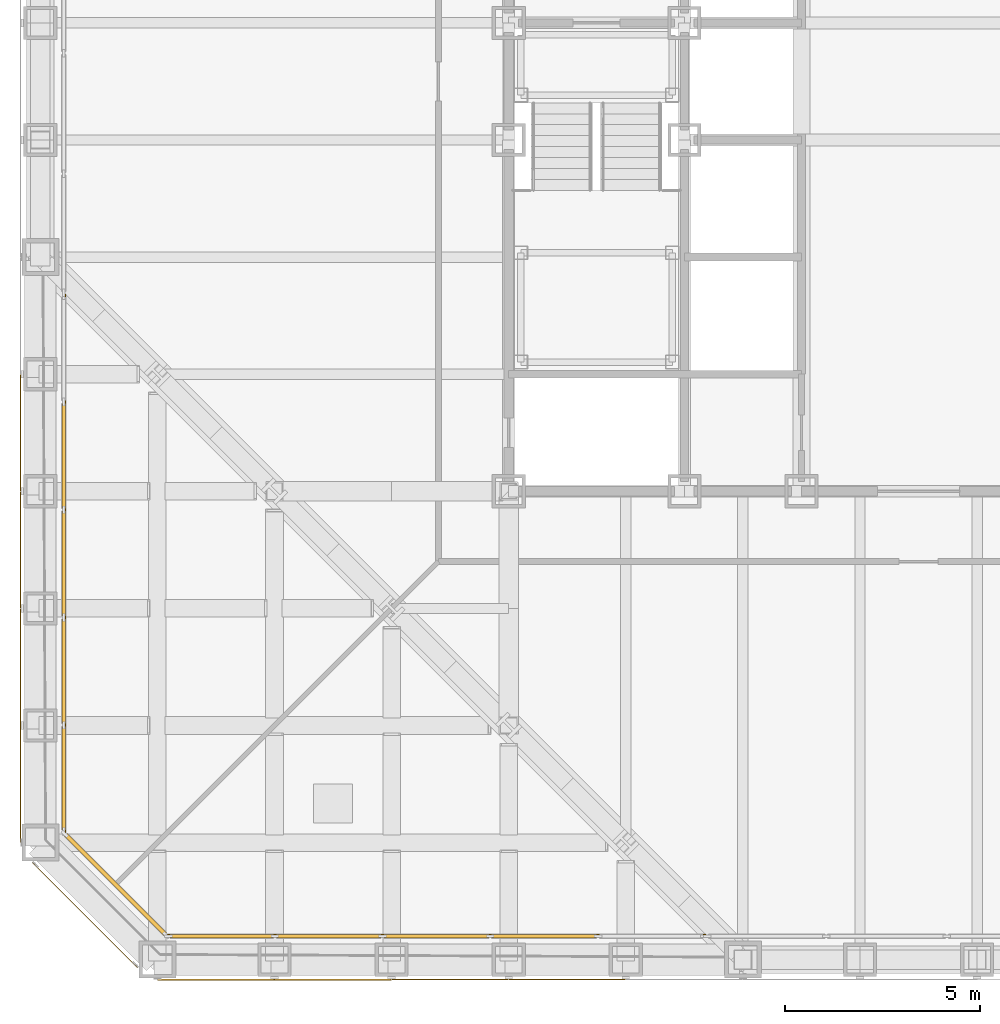
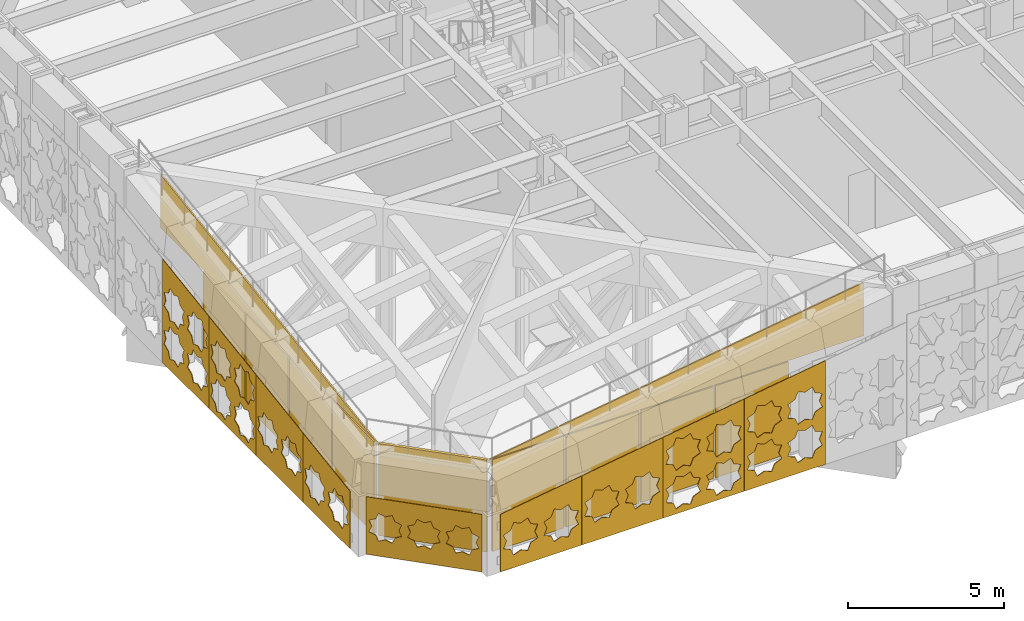
# One storey, part 23 of 31: 11 coverings, 9 shading devices, 3 elements without a shape of their own.
"""IFC4 building model written with IfcOpenShell, lengths in metres."""

from ifc_helpers import new_model, si_unit, direction, frame, origin, origin_2d, place, context, subcontext, project, spatial, polyline, rectangle, outline, extrude, material, layer, layer_set, type_object, element, aggregate, save


model = new_model("IFC4")

# Units and contexts
model_context = context("Model", 3, precision=1e-05, world=origin(), true_north=direction((0.0, 1.0)))
body_context = subcontext(model_context, "Body", "Model", "MODEL_VIEW")
ifc_project = project(units=[si_unit("LENGTHUNIT", "METRE"), si_unit("AREAUNIT", "SQUARE_METRE"), si_unit("VOLUMEUNIT", "CUBIC_METRE"), si_unit("PLANEANGLEUNIT", "RADIAN"), si_unit("MASSUNIT", "GRAM", prefix="KILO")], contexts=[model_context])

# Site, building, storey
site_placement = place(None, origin())
site = spatial("IfcSite", under=ifc_project, at=site_placement, CompositionType="ELEMENT")
building_placement = place(site_placement, origin())
building = spatial("IfcBuilding", under=site, at=building_placement, Name="Chuquiago Exchange Tower", CompositionType="ELEMENT")
storey_placement = place(building_placement, frame((0.0, 0.0, 96.300048828125)))
storey = spatial("IfcBuildingStorey", under=building, at=storey_placement, Name="L20", CompositionType="ELEMENT", Elevation=96.300048828125)

# Curtain wall, shading devices
ifc_material_1 = material(Name="Aluminium curtain wall system", Category="aluminium")
ifc_layer_1 = layer(ifc_material_1, 0.199951171875)
ifc_layer_set_1 = layer_set([ifc_layer_1], Name="CW6 plant floor louvre wall")
curtain_wall_type = type_object("IfcCurtainWallType", Name="CW6 plant floor louvre wall", PredefinedType="NOTDEFINED", material=ifc_layer_set_1)
curtain_wall_1_placement = place(storey_placement, origin())
curtain_wall_1 = element("IfcCurtainWall", 1, at=curtain_wall_1_placement, inside=storey, type_object=curtain_wall_type, Name="CW6 curtain wall L20", PredefinedType="NOTDEFINED")
ifc_material_2 = material(Name="Aluminium louvre", Category="aluminium")
ifc_layer_2 = layer(ifc_material_2, 0.10009765625)
ifc_layer_set_2 = layer_set([ifc_layer_2], Name="CW6-P louvre panel 100")
shading_device_type = type_object("IfcShadingDeviceType", Name="CW6-P louvre panel 100", PredefinedType="USERDEFINED", material=ifc_layer_set_2)
shading_device_1_placement = place(storey_placement, frame((4.64697265625, 0.60009765625, 0.0751953125), z_axis=(0.0, 0.0, 1.0), x_axis=(1.0, 0.0, 0.0)))
shading_device_1 = element("IfcShadingDevice", 2, at=shading_device_1_placement, type_object=shading_device_type, Name="CW6 panel 1.1", ObjectType="LOUVER", PredefinedType="USERDEFINED", context=body_context, shape_type="SweptSolid", body=[
    extrude(rectangle(XDim=2.64697265625, YDim=0.10009765625, at=origin_2d()), origin(), (0.0, 0.0, 1.0), 3.593505859375),
])
shading_device_2_placement = place(storey_placement, frame((7.387939453125, 0.60009765625, 0.0751953125), z_axis=(0.0, 0.0, 1.0), x_axis=(1.0, 0.0, 0.0)))
shading_device_2 = element("IfcShadingDevice", 3, at=shading_device_2_placement, type_object=shading_device_type, Name="CW6 panel 2.1", ObjectType="LOUVER", PredefinedType="USERDEFINED", context=body_context, shape_type="SweptSolid", body=[
    extrude(rectangle(XDim=2.6845703125, YDim=0.10009765625, at=origin_2d()), origin(), (0.0, 0.0, 1.0), 3.593505859375),
])
shading_device_3_placement = place(storey_placement, frame((10.1474609375, 0.60009765625, 0.0751953125), z_axis=(0.0, 0.0, 1.0), x_axis=(1.0, 0.0, 0.0)))
shading_device_3 = element("IfcShadingDevice", 4, at=shading_device_3_placement, type_object=shading_device_type, Name="CW6 panel 3.1", ObjectType="LOUVER", PredefinedType="USERDEFINED", context=body_context, shape_type="SweptSolid", body=[
    extrude(rectangle(XDim=2.6845703125, YDim=0.10009765625, at=origin_2d()), origin(), (0.0, 0.0, 1.0), 3.593505859375),
])
shading_device_4_placement = place(storey_placement, frame((12.906982421875, 0.60009765625, 0.0751953125), z_axis=(0.0, 0.0, 1.0), x_axis=(1.0, 0.0, 0.0)))
shading_device_4 = element("IfcShadingDevice", 5, at=shading_device_4_placement, type_object=shading_device_type, Name="CW6 panel 4.1", ObjectType="LOUVER", PredefinedType="USERDEFINED", context=body_context, shape_type="SweptSolid", body=[
    extrude(rectangle(XDim=2.6845703125, YDim=0.10009765625, at=origin_2d()), origin(), (0.0, 0.0, 1.0), 3.593505859375),
])
aggregate(curtain_wall_1, [shading_device_1, shading_device_2, shading_device_3, shading_device_4])

curtain_wall_2_placement = place(storey_placement, origin())
curtain_wall_2 = element("IfcCurtainWall", 6, at=curtain_wall_2_placement, inside=storey, type_object=curtain_wall_type, Name="CW6 curtain wall L20", PredefinedType="NOTDEFINED")
shading_device_5_placement = place(storey_placement, frame((0.60009765625, 12.9072265625, 0.0751953125), z_axis=(0.0, 0.0, 1.0), x_axis=(0.0, -1.0, 0.0)))
shading_device_5 = element("IfcShadingDevice", 7, at=shading_device_5_placement, type_object=shading_device_type, Name="CW6 panel 2.1", ObjectType="LOUVER", PredefinedType="USERDEFINED", context=body_context, shape_type="SweptSolid", body=[
    extrude(rectangle(XDim=2.6845703125, YDim=0.10009765625, at=origin_2d()), origin(), (0.0, 0.0, 1.0), 3.593505859375),
])
shading_device_6_placement = place(storey_placement, frame((0.60009765625, 10.1474609375, 0.0751953125), z_axis=(0.0, 0.0, 1.0), x_axis=(0.0, -1.0, 0.0)))
shading_device_6 = element("IfcShadingDevice", 8, at=shading_device_6_placement, type_object=shading_device_type, Name="CW6 panel 3.1", ObjectType="LOUVER", PredefinedType="USERDEFINED", context=body_context, shape_type="SweptSolid", body=[
    extrude(rectangle(XDim=2.6845703125, YDim=0.10009765625, at=origin_2d()), origin(), (0.0, 0.0, 1.0), 3.593505859375),
])
shading_device_7_placement = place(storey_placement, frame((0.60009765625, 7.387939453125, 0.0751953125), z_axis=(0.0, 0.0, 1.0), x_axis=(0.0, -1.0, 0.0)))
shading_device_7 = element("IfcShadingDevice", 9, at=shading_device_7_placement, type_object=shading_device_type, Name="CW6 panel 4.1", ObjectType="LOUVER", PredefinedType="USERDEFINED", context=body_context, shape_type="SweptSolid", body=[
    extrude(rectangle(XDim=2.6845703125, YDim=0.10009765625, at=origin_2d()), origin(), (0.0, 0.0, 1.0), 3.593505859375),
])
shading_device_8_placement = place(storey_placement, frame((0.60009765625, 4.647216796875, 0.0751953125), z_axis=(0.0, 0.0, 1.0), x_axis=(0.0, -1.0, 0.0)))
shading_device_8 = element("IfcShadingDevice", 10, at=shading_device_8_placement, type_object=shading_device_type, Name="CW6 panel 5.1", ObjectType="LOUVER", PredefinedType="USERDEFINED", context=body_context, shape_type="SweptSolid", body=[
    extrude(rectangle(XDim=2.64697265625, YDim=0.10009765625, at=origin_2d()), origin(), (0.0, 0.0, 1.0), 3.593505859375),
])
aggregate(curtain_wall_2, [shading_device_5, shading_device_6, shading_device_7, shading_device_8])

# Curtain wall, shading device
curtain_wall_3_placement = place(storey_placement, origin())
curtain_wall_3 = element("IfcCurtainWall", 11, at=curtain_wall_3_placement, inside=storey, type_object=curtain_wall_type, Name="CW6 curtain wall L20", PredefinedType="NOTDEFINED")
shading_device_9_placement = place(storey_placement, frame((1.92431640625, 1.92431640625, 0.0751953125), z_axis=(0.0, 0.0, 1.0), x_axis=(0.707106781187, -0.707106781187, 0.0)))
shading_device_9 = element("IfcShadingDevice", 12, at=shading_device_9_placement, type_object=shading_device_type, Name="CW6 panel 1.1", ObjectType="LOUVER", PredefinedType="USERDEFINED", context=body_context, shape_type="SweptSolid", body=[
    extrude(rectangle(XDim=3.595458984375, YDim=0.10009765625, at=origin_2d()), origin(), (0.0, 0.0, 1.0), 3.593505859375),
])
aggregate(curtain_wall_3, [shading_device_9])

# Coverings
ifc_material_3 = material(Name="Pale metal insulated fascia panel", Category="aluminium")
ifc_layer_3 = layer(ifc_material_3, 0.050048828125)
ifc_layer_set_3 = layer_set([ifc_layer_3], Name="FX1 raked fascia panel 50")
covering_type_1 = type_object("IfcCoveringType", Name="FX1 raked fascia panel 50", PredefinedType="CLADDING", material=ifc_layer_set_3)
covering_1_placement = place(storey_placement, frame((3.24853515625, 0.60009765625, 3.66845703125), z_axis=(0.0, -1.0, 0.0), x_axis=(1.0, 0.0, 0.0)))
element("IfcCovering", 13, at=covering_1_placement, inside=storey, type_object=covering_type_1, Name="Raked fascia L20 S under the SW facet roof", PredefinedType="CLADDING", context=body_context, shape_type="SweptSolid", body=[
    extrude(outline(polyline([(0.0, 0.0), (13.7978515625, 0.0), (13.7978515625, 2.073974609375), (0.0, 0.0)])), origin(), (0.0, 0.0, -1.0), 0.050048828125),
])
covering_2_placement = place(storey_placement, frame((0.60009765625, 17.04638671875, 3.66845703125), z_axis=(-1.0, 0.0, 0.0), x_axis=(0.0, -1.0, 0.0)))
element("IfcCovering", 14, at=covering_2_placement, inside=storey, type_object=covering_type_1, Name="Raked fascia L20 W under the SW facet roof", PredefinedType="CLADDING", context=body_context, shape_type="SweptSolid", body=[
    extrude(outline(polyline([(0.0, 0.0), (13.7978515625, 0.0), (0.0, 2.073974609375), (0.0, 0.0)])), origin(), (0.0, 0.0, -1.0), 0.050048828125),
])
ifc_material_4 = material(Name="Anodised aluminium, pale", Category="aluminium")
ifc_layer_4 = layer(ifc_material_4, 0.02001953125)
ifc_layer_set_4 = layer_set([ifc_layer_4], Name="GC1 girih cladding panel 20")
covering_type_2 = type_object("IfcCoveringType", Name="GC1 girih cladding panel 20", PredefinedType="CLADDING", material=ifc_layer_set_4)
covering_3_placement = place(storey_placement, frame((3.0048828125, -0.5, 0.050048828125), z_axis=(0.0, 0.0, 1.0), x_axis=(1.0, 0.0, 0.0)))
element("IfcCovering", 15, at=covering_3_placement, inside=storey, type_object=covering_type_2, Name="Girih cladding panel L20 S 1", PredefinedType="CLADDING", context=body_context, shape_type="SweptSolid", body=[
    extrude(outline(polyline([(0.0, 0.0), (2.989990234375, 0.0), (2.989990234375, 2.695556640625), (0.0, 2.24609375), (0.0, 0.0)]), holes=[polyline([(1.27392578125, 1.123046875), (1.3828125, 1.38623046875), (1.11962890625, 1.4951171875), (1.0107421875, 1.75830078125), (0.74755859375, 1.6494140625), (0.484375, 1.75830078125), (0.375244140625, 1.4951171875), (0.112060546875, 1.38623046875), (0.22119140625, 1.123046875), (0.112060546875, 0.85986328125), (0.375244140625, 0.7509765625), (0.484375, 0.48779296875), (0.74755859375, 0.5966796875), (1.0107421875, 0.48779296875), (1.11962890625, 0.7509765625), (1.3828125, 0.85986328125), (1.27392578125, 1.123046875)]), polyline([(2.768798828125, 1.123046875), (2.8779296875, 1.38623046875), (2.61474609375, 1.4951171875), (2.505615234375, 1.75830078125), (2.242431640625, 1.6494140625), (1.979248046875, 1.75830078125), (1.870361328125, 1.4951171875), (1.607177734375, 1.38623046875), (1.716064453125, 1.123046875), (1.607177734375, 0.85986328125), (1.870361328125, 0.7509765625), (1.979248046875, 0.48779296875), (2.242431640625, 0.5966796875), (2.505615234375, 0.48779296875), (2.61474609375, 0.7509765625), (2.8779296875, 0.85986328125), (2.768798828125, 1.123046875)])]), frame((0.0, 0.0, 0.0), z_axis=(0.0, -1.0, 0.0), x_axis=(1.0, 0.0, 0.0)), (0.0, 0.0, 1.0), 0.02001953125),
])
covering_4_placement = place(storey_placement, frame((6.0048828125, -0.5, 0.050048828125), z_axis=(0.0, 0.0, 1.0), x_axis=(1.0, 0.0, 0.0)))
element("IfcCovering", 16, at=covering_4_placement, inside=storey, type_object=covering_type_2, Name="Girih cladding panel L20 S 2", PredefinedType="CLADDING", context=body_context, shape_type="SweptSolid", body=[
    extrude(outline(polyline([(0.0, 0.0), (2.989990234375, 0.0), (2.989990234375, 3.146484375), (0.0, 2.697021484375), (0.0, 0.0)]), holes=[polyline([(1.27392578125, 1.348388671875), (1.3828125, 1.61181640625), (1.11962890625, 1.720703125), (1.0107421875, 1.98388671875), (0.74755859375, 1.875), (0.484375, 1.98388671875), (0.375244140625, 1.720703125), (0.112060546875, 1.61181640625), (0.22119140625, 1.348388671875), (0.112060546875, 1.085205078125), (0.375244140625, 0.976318359375), (0.484375, 0.713134765625), (0.74755859375, 0.822021484375), (1.0107421875, 0.713134765625), (1.11962890625, 0.976318359375), (1.3828125, 1.085205078125), (1.27392578125, 1.348388671875)]), polyline([(2.768798828125, 1.348388671875), (2.8779296875, 1.61181640625), (2.61474609375, 1.720703125), (2.505615234375, 1.98388671875), (2.242431640625, 1.875), (1.979248046875, 1.98388671875), (1.870361328125, 1.720703125), (1.607177734375, 1.61181640625), (1.716064453125, 1.348388671875), (1.607177734375, 1.085205078125), (1.870361328125, 0.976318359375), (1.979248046875, 0.713134765625), (2.242431640625, 0.822021484375), (2.505615234375, 0.713134765625), (2.61474609375, 0.976318359375), (2.8779296875, 1.085205078125), (2.768798828125, 1.348388671875)])]), frame((0.0, 0.0, 0.0), z_axis=(0.0, -1.0, 0.0), x_axis=(1.0, 0.0, 0.0)), (0.0, 0.0, 1.0), 0.02001953125),
])
covering_5_placement = place(storey_placement, frame((9.0048828125, -0.5, 0.050048828125), z_axis=(0.0, 0.0, 1.0), x_axis=(1.0, 0.0, 0.0)))
element("IfcCovering", 17, at=covering_5_placement, inside=storey, type_object=covering_type_2, Name="Girih cladding panel L20 S 3", PredefinedType="CLADDING", context=body_context, shape_type="SweptSolid", body=[
    extrude(outline(polyline([(0.0, 0.0), (2.989990234375, 0.0), (2.989990234375, 3.597412109375), (0.0, 3.14794921875), (0.0, 0.0)]), holes=[polyline([(1.27392578125, 0.826416015625), (1.3828125, 1.089599609375), (1.11962890625, 1.198486328125), (1.0107421875, 1.4619140625), (0.74755859375, 1.352783203125), (0.484375, 1.4619140625), (0.375244140625, 1.198486328125), (0.112060546875, 1.089599609375), (0.22119140625, 0.826416015625), (0.112060546875, 0.563232421875), (0.375244140625, 0.454345703125), (0.484375, 0.191162109375), (0.74755859375, 0.300048828125), (1.0107421875, 0.191162109375), (1.11962890625, 0.454345703125), (1.3828125, 0.563232421875), (1.27392578125, 0.826416015625)]), polyline([(2.768798828125, 0.826416015625), (2.8779296875, 1.089599609375), (2.61474609375, 1.198486328125), (2.505615234375, 1.4619140625), (2.242431640625, 1.352783203125), (1.979248046875, 1.4619140625), (1.870361328125, 1.198486328125), (1.607177734375, 1.089599609375), (1.716064453125, 0.826416015625), (1.607177734375, 0.563232421875), (1.870361328125, 0.454345703125), (1.979248046875, 0.191162109375), (2.242431640625, 0.300048828125), (2.505615234375, 0.191162109375), (2.61474609375, 0.454345703125), (2.8779296875, 0.563232421875), (2.768798828125, 0.826416015625)]), polyline([(1.27392578125, 2.3212890625), (1.3828125, 2.584716796875), (1.11962890625, 2.693603515625), (1.0107421875, 2.956787109375), (0.74755859375, 2.847900390625), (0.484375, 2.956787109375), (0.375244140625, 2.693603515625), (0.112060546875, 2.584716796875), (0.22119140625, 2.3212890625), (0.112060546875, 2.058349609375), (0.375244140625, 1.94921875), (0.484375, 1.68603515625), (0.74755859375, 1.795166015625), (1.0107421875, 1.68603515625), (1.11962890625, 1.94921875), (1.3828125, 2.058349609375), (1.27392578125, 2.3212890625)]), polyline([(2.768798828125, 2.3212890625), (2.8779296875, 2.584716796875), (2.61474609375, 2.693603515625), (2.505615234375, 2.956787109375), (2.242431640625, 2.847900390625), (1.979248046875, 2.956787109375), (1.870361328125, 2.693603515625), (1.607177734375, 2.584716796875), (1.716064453125, 2.3212890625), (1.607177734375, 2.058349609375), (1.870361328125, 1.94921875), (1.979248046875, 1.68603515625), (2.242431640625, 1.795166015625), (2.505615234375, 1.68603515625), (2.61474609375, 1.94921875), (2.8779296875, 2.058349609375), (2.768798828125, 2.3212890625)])]), frame((0.0, 0.0, 0.0), z_axis=(0.0, -1.0, 0.0), x_axis=(1.0, 0.0, 0.0)), (0.0, 0.0, 1.0), 0.02001953125),
])
covering_6_placement = place(storey_placement, frame((12.0048828125, -0.5, 0.050048828125), z_axis=(0.0, 0.0, 1.0), x_axis=(1.0, 0.0, 0.0)))
element("IfcCovering", 18, at=covering_6_placement, inside=storey, type_object=covering_type_2, Name="Girih cladding panel L20 S 4", PredefinedType="CLADDING", context=body_context, shape_type="SweptSolid", body=[
    extrude(outline(polyline([(0.0, 0.0), (2.989990234375, 0.0), (2.989990234375, 4.048095703125), (0.0, 3.598876953125), (0.0, 0.0)]), holes=[polyline([(1.27392578125, 1.052001953125), (1.3828125, 1.315185546875), (1.11962890625, 1.424072265625), (1.0107421875, 1.687255859375), (0.74755859375, 1.578369140625), (0.484375, 1.687255859375), (0.375244140625, 1.424072265625), (0.112060546875, 1.315185546875), (0.22119140625, 1.052001953125), (0.112060546875, 0.788818359375), (0.375244140625, 0.6796875), (0.484375, 0.41650390625), (0.74755859375, 0.525390625), (1.0107421875, 0.41650390625), (1.11962890625, 0.6796875), (1.3828125, 0.788818359375), (1.27392578125, 1.052001953125)]), polyline([(2.768798828125, 1.052001953125), (2.8779296875, 1.315185546875), (2.61474609375, 1.424072265625), (2.505615234375, 1.687255859375), (2.242431640625, 1.578369140625), (1.979248046875, 1.687255859375), (1.870361328125, 1.424072265625), (1.607177734375, 1.315185546875), (1.716064453125, 1.052001953125), (1.607177734375, 0.788818359375), (1.870361328125, 0.6796875), (1.979248046875, 0.41650390625), (2.242431640625, 0.525390625), (2.505615234375, 0.41650390625), (2.61474609375, 0.6796875), (2.8779296875, 0.788818359375), (2.768798828125, 1.052001953125)]), polyline([(1.27392578125, 2.546875), (1.3828125, 2.81005859375), (1.11962890625, 2.919189453125), (1.0107421875, 3.182373046875), (0.74755859375, 3.0732421875), (0.484375, 3.182373046875), (0.375244140625, 2.919189453125), (0.112060546875, 2.81005859375), (0.22119140625, 2.546875), (0.112060546875, 2.28369140625), (0.375244140625, 2.1748046875), (0.484375, 1.91162109375), (0.74755859375, 2.0205078125), (1.0107421875, 1.91162109375), (1.11962890625, 2.1748046875), (1.3828125, 2.28369140625), (1.27392578125, 2.546875)]), polyline([(2.768798828125, 2.546875), (2.8779296875, 2.81005859375), (2.61474609375, 2.919189453125), (2.505615234375, 3.182373046875), (2.242431640625, 3.0732421875), (1.979248046875, 3.182373046875), (1.870361328125, 2.919189453125), (1.607177734375, 2.81005859375), (1.716064453125, 2.546875), (1.607177734375, 2.28369140625), (1.870361328125, 2.1748046875), (1.979248046875, 1.91162109375), (2.242431640625, 2.0205078125), (2.505615234375, 1.91162109375), (2.61474609375, 2.1748046875), (2.8779296875, 2.28369140625), (2.768798828125, 2.546875)])]), frame((0.0, 0.0, 0.0), z_axis=(0.0, -1.0, 0.0), x_axis=(1.0, 0.0, 0.0)), (0.0, 0.0, 1.0), 0.02001953125),
])
covering_7_placement = place(storey_placement, frame((-0.5, 14.9951171875, 0.050048828125), z_axis=(0.0, 0.0, 1.0), x_axis=(0.0, -1.0, 0.0)))
element("IfcCovering", 19, at=covering_7_placement, inside=storey, type_object=covering_type_2, Name="Girih cladding panel L20 W 10", PredefinedType="CLADDING", context=body_context, shape_type="SweptSolid", body=[
    extrude(outline(polyline([(0.0, 0.0), (2.989990234375, 0.0), (2.989990234375, 3.598876953125), (0.0, 4.048095703125), (0.0, 0.0)]), holes=[polyline([(1.27392578125, 1.052001953125), (1.3828125, 1.315185546875), (1.11962890625, 1.424072265625), (1.0107421875, 1.687255859375), (0.74755859375, 1.578369140625), (0.484375, 1.687255859375), (0.375244140625, 1.424072265625), (0.112060546875, 1.315185546875), (0.22119140625, 1.052001953125), (0.112060546875, 0.788818359375), (0.375244140625, 0.6796875), (0.484375, 0.41650390625), (0.74755859375, 0.525390625), (1.0107421875, 0.41650390625), (1.11962890625, 0.6796875), (1.3828125, 0.788818359375), (1.27392578125, 1.052001953125)]), polyline([(2.768798828125, 1.052001953125), (2.8779296875, 1.315185546875), (2.61474609375, 1.424072265625), (2.505615234375, 1.687255859375), (2.242431640625, 1.578369140625), (1.979248046875, 1.687255859375), (1.870361328125, 1.424072265625), (1.607177734375, 1.315185546875), (1.716064453125, 1.052001953125), (1.607177734375, 0.788818359375), (1.870361328125, 0.6796875), (1.979248046875, 0.41650390625), (2.242431640625, 0.525390625), (2.505615234375, 0.41650390625), (2.61474609375, 0.6796875), (2.8779296875, 0.788818359375), (2.768798828125, 1.052001953125)]), polyline([(1.27392578125, 2.546875), (1.3828125, 2.81005859375), (1.11962890625, 2.919189453125), (1.0107421875, 3.182373046875), (0.74755859375, 3.0732421875), (0.484375, 3.182373046875), (0.375244140625, 2.919189453125), (0.112060546875, 2.81005859375), (0.22119140625, 2.546875), (0.112060546875, 2.28369140625), (0.375244140625, 2.1748046875), (0.484375, 1.91162109375), (0.74755859375, 2.0205078125), (1.0107421875, 1.91162109375), (1.11962890625, 2.1748046875), (1.3828125, 2.28369140625), (1.27392578125, 2.546875)]), polyline([(2.768798828125, 2.546875), (2.8779296875, 2.81005859375), (2.61474609375, 2.919189453125), (2.505615234375, 3.182373046875), (2.242431640625, 3.0732421875), (1.979248046875, 3.182373046875), (1.870361328125, 2.919189453125), (1.607177734375, 2.81005859375), (1.716064453125, 2.546875), (1.607177734375, 2.28369140625), (1.870361328125, 2.1748046875), (1.979248046875, 1.91162109375), (2.242431640625, 2.0205078125), (2.505615234375, 1.91162109375), (2.61474609375, 2.1748046875), (2.8779296875, 2.28369140625), (2.768798828125, 2.546875)])]), frame((0.0, 0.0, 0.0), z_axis=(0.0, -1.0, 0.0), x_axis=(1.0, 0.0, 0.0)), (0.0, 0.0, 1.0), 0.02001953125),
])
covering_8_placement = place(storey_placement, frame((-0.5, 11.9951171875, 0.050048828125), z_axis=(0.0, 0.0, 1.0), x_axis=(0.0, -1.0, 0.0)))
element("IfcCovering", 20, at=covering_8_placement, inside=storey, type_object=covering_type_2, Name="Girih cladding panel L20 W 11", PredefinedType="CLADDING", context=body_context, shape_type="SweptSolid", body=[
    extrude(outline(polyline([(0.0, 0.0), (2.989990234375, 0.0), (2.989990234375, 3.14794921875), (0.0, 3.597412109375), (0.0, 0.0)]), holes=[polyline([(1.27392578125, 0.826416015625), (1.3828125, 1.089599609375), (1.11962890625, 1.198486328125), (1.0107421875, 1.4619140625), (0.74755859375, 1.352783203125), (0.484375, 1.4619140625), (0.375244140625, 1.198486328125), (0.112060546875, 1.089599609375), (0.22119140625, 0.826416015625), (0.112060546875, 0.563232421875), (0.375244140625, 0.454345703125), (0.484375, 0.191162109375), (0.74755859375, 0.300048828125), (1.0107421875, 0.191162109375), (1.11962890625, 0.454345703125), (1.3828125, 0.563232421875), (1.27392578125, 0.826416015625)]), polyline([(2.768798828125, 0.826416015625), (2.8779296875, 1.089599609375), (2.61474609375, 1.198486328125), (2.505615234375, 1.4619140625), (2.242431640625, 1.352783203125), (1.979248046875, 1.4619140625), (1.870361328125, 1.198486328125), (1.607177734375, 1.089599609375), (1.716064453125, 0.826416015625), (1.607177734375, 0.563232421875), (1.870361328125, 0.454345703125), (1.979248046875, 0.191162109375), (2.242431640625, 0.300048828125), (2.505615234375, 0.191162109375), (2.61474609375, 0.454345703125), (2.8779296875, 0.563232421875), (2.768798828125, 0.826416015625)]), polyline([(1.27392578125, 2.3212890625), (1.3828125, 2.584716796875), (1.11962890625, 2.693603515625), (1.0107421875, 2.956787109375), (0.74755859375, 2.847900390625), (0.484375, 2.956787109375), (0.375244140625, 2.693603515625), (0.112060546875, 2.584716796875), (0.22119140625, 2.3212890625), (0.112060546875, 2.058349609375), (0.375244140625, 1.94921875), (0.484375, 1.68603515625), (0.74755859375, 1.795166015625), (1.0107421875, 1.68603515625), (1.11962890625, 1.94921875), (1.3828125, 2.058349609375), (1.27392578125, 2.3212890625)]), polyline([(2.768798828125, 2.3212890625), (2.8779296875, 2.584716796875), (2.61474609375, 2.693603515625), (2.505615234375, 2.956787109375), (2.242431640625, 2.847900390625), (1.979248046875, 2.956787109375), (1.870361328125, 2.693603515625), (1.607177734375, 2.584716796875), (1.716064453125, 2.3212890625), (1.607177734375, 2.058349609375), (1.870361328125, 1.94921875), (1.979248046875, 1.68603515625), (2.242431640625, 1.795166015625), (2.505615234375, 1.68603515625), (2.61474609375, 1.94921875), (2.8779296875, 2.058349609375), (2.768798828125, 2.3212890625)])]), frame((0.0, 0.0, 0.0), z_axis=(0.0, -1.0, 0.0), x_axis=(1.0, 0.0, 0.0)), (0.0, 0.0, 1.0), 0.02001953125),
])
covering_9_placement = place(storey_placement, frame((-0.5, 8.9951171875, 0.050048828125), z_axis=(0.0, 0.0, 1.0), x_axis=(0.0, -1.0, 0.0)))
element("IfcCovering", 21, at=covering_9_placement, inside=storey, type_object=covering_type_2, Name="Girih cladding panel L20 W 12", PredefinedType="CLADDING", context=body_context, shape_type="SweptSolid", body=[
    extrude(outline(polyline([(0.0, 0.0), (2.989990234375, 0.0), (2.989990234375, 2.697021484375), (0.0, 3.146484375), (0.0, 0.0)]), holes=[polyline([(1.27392578125, 1.348388671875), (1.3828125, 1.61181640625), (1.11962890625, 1.720703125), (1.0107421875, 1.98388671875), (0.74755859375, 1.875), (0.484375, 1.98388671875), (0.375244140625, 1.720703125), (0.112060546875, 1.61181640625), (0.22119140625, 1.348388671875), (0.112060546875, 1.085205078125), (0.375244140625, 0.976318359375), (0.484375, 0.713134765625), (0.74755859375, 0.822021484375), (1.0107421875, 0.713134765625), (1.11962890625, 0.976318359375), (1.3828125, 1.085205078125), (1.27392578125, 1.348388671875)]), polyline([(2.768798828125, 1.348388671875), (2.8779296875, 1.61181640625), (2.61474609375, 1.720703125), (2.505615234375, 1.98388671875), (2.242431640625, 1.875), (1.979248046875, 1.98388671875), (1.870361328125, 1.720703125), (1.607177734375, 1.61181640625), (1.716064453125, 1.348388671875), (1.607177734375, 1.085205078125), (1.870361328125, 0.976318359375), (1.979248046875, 0.713134765625), (2.242431640625, 0.822021484375), (2.505615234375, 0.713134765625), (2.61474609375, 0.976318359375), (2.8779296875, 1.085205078125), (2.768798828125, 1.348388671875)])]), frame((0.0, 0.0, 0.0), z_axis=(0.0, -1.0, 0.0), x_axis=(1.0, 0.0, 0.0)), (0.0, 0.0, 1.0), 0.02001953125),
])
covering_10_placement = place(storey_placement, frame((-0.5, 5.9951171875, 0.050048828125), z_axis=(0.0, 0.0, 1.0), x_axis=(0.0, -1.0, 0.0)))
element("IfcCovering", 22, at=covering_10_placement, inside=storey, type_object=covering_type_2, Name="Girih cladding panel L20 W 13", PredefinedType="CLADDING", context=body_context, shape_type="SweptSolid", body=[
    extrude(outline(polyline([(0.0, 0.0), (2.989990234375, 0.0), (2.989990234375, 2.24609375), (0.0, 2.695556640625), (0.0, 0.0)]), holes=[polyline([(1.27392578125, 1.123046875), (1.3828125, 1.38623046875), (1.11962890625, 1.4951171875), (1.0107421875, 1.75830078125), (0.74755859375, 1.6494140625), (0.484375, 1.75830078125), (0.375244140625, 1.4951171875), (0.112060546875, 1.38623046875), (0.22119140625, 1.123046875), (0.112060546875, 0.85986328125), (0.375244140625, 0.7509765625), (0.484375, 0.48779296875), (0.74755859375, 0.5966796875), (1.0107421875, 0.48779296875), (1.11962890625, 0.7509765625), (1.3828125, 0.85986328125), (1.27392578125, 1.123046875)]), polyline([(2.768798828125, 1.123046875), (2.8779296875, 1.38623046875), (2.61474609375, 1.4951171875), (2.505615234375, 1.75830078125), (2.242431640625, 1.6494140625), (1.979248046875, 1.75830078125), (1.870361328125, 1.4951171875), (1.607177734375, 1.38623046875), (1.716064453125, 1.123046875), (1.607177734375, 0.85986328125), (1.870361328125, 0.7509765625), (1.979248046875, 0.48779296875), (2.242431640625, 0.5966796875), (2.505615234375, 0.48779296875), (2.61474609375, 0.7509765625), (2.8779296875, 0.85986328125), (2.768798828125, 1.123046875)])]), frame((0.0, 0.0, 0.0), z_axis=(0.0, -1.0, 0.0), x_axis=(1.0, 0.0, 0.0)), (0.0, 0.0, 1.0), 0.02001953125),
])
ifc_material_5 = material(Name="Anodised aluminium, pale", Category="aluminium")
ifc_layer_5 = layer(ifc_material_5, 0.02001953125)
ifc_layer_set_5 = layer_set([ifc_layer_5], Name="GC6 girih cladding panel 20")
covering_type_3 = type_object("IfcCoveringType", Name="GC6 girih cladding panel 20", PredefinedType="CLADDING", material=ifc_layer_set_5)
covering_11_placement = place(storey_placement, frame((-0.20703125, 2.5, 0.050048828125), z_axis=(0.0, 0.0, 1.0), x_axis=(0.707106781187, -0.707106781187, 0.0)))
element("IfcCovering", 23, at=covering_11_placement, inside=storey, type_object=covering_type_3, Name="Girih cladding panel L20 SW 1", PredefinedType="CLADDING", context=body_context, shape_type="SweptSolid", body=[
    extrude(outline(polyline([(0.0, 0.0), (3.828369140625, 0.0), (3.828369140625, 2.245361328125), (0.0, 2.245361328125), (0.0, 0.0)]), holes=[polyline([(1.08740234375, 1.12255859375), (1.180419921875, 1.347412109375), (0.955810546875, 1.440185546875), (0.86279296875, 1.6650390625), (0.63818359375, 1.572021484375), (0.413330078125, 1.6650390625), (0.3203125, 1.440185546875), (0.095703125, 1.347412109375), (0.188720703125, 1.12255859375), (0.095703125, 0.89794921875), (0.3203125, 0.804931640625), (0.413330078125, 0.580322265625), (0.637939453125, 0.67333984375), (0.86279296875, 0.580322265625), (0.955810546875, 0.804931640625), (1.180419921875, 0.89794921875), (1.08740234375, 1.12255859375)]), polyline([(2.36328125, 1.12255859375), (2.45654296875, 1.347412109375), (2.231689453125, 1.440185546875), (2.138916015625, 1.6650390625), (1.914306640625, 1.572021484375), (1.689453125, 1.6650390625), (1.596435546875, 1.440185546875), (1.371826171875, 1.347412109375), (1.46484375, 1.12255859375), (1.371826171875, 0.89794921875), (1.596435546875, 0.804931640625), (1.689453125, 0.580322265625), (1.914306640625, 0.67333984375), (2.138916015625, 0.580322265625), (2.231689453125, 0.804931640625), (2.45654296875, 0.89794921875), (2.36328125, 1.12255859375)]), polyline([(3.639404296875, 1.12255859375), (3.732666015625, 1.347412109375), (3.5078125, 1.440185546875), (3.414794921875, 1.6650390625), (3.190185546875, 1.572021484375), (2.965576171875, 1.6650390625), (2.87255859375, 1.440185546875), (2.64794921875, 1.347412109375), (2.740966796875, 1.12255859375), (2.64794921875, 0.89794921875), (2.87255859375, 0.804931640625), (2.965576171875, 0.580322265625), (3.190185546875, 0.67333984375), (3.414794921875, 0.580322265625), (3.5078125, 0.804931640625), (3.732666015625, 0.89794921875), (3.639404296875, 1.12255859375)])]), frame((0.0, 0.0, 0.0), z_axis=(0.0, -1.0, 0.0), x_axis=(1.0, 0.0, 0.0)), (0.0, 0.0, 1.0), 0.02001953125),
])

save(model, "model.ifc")
